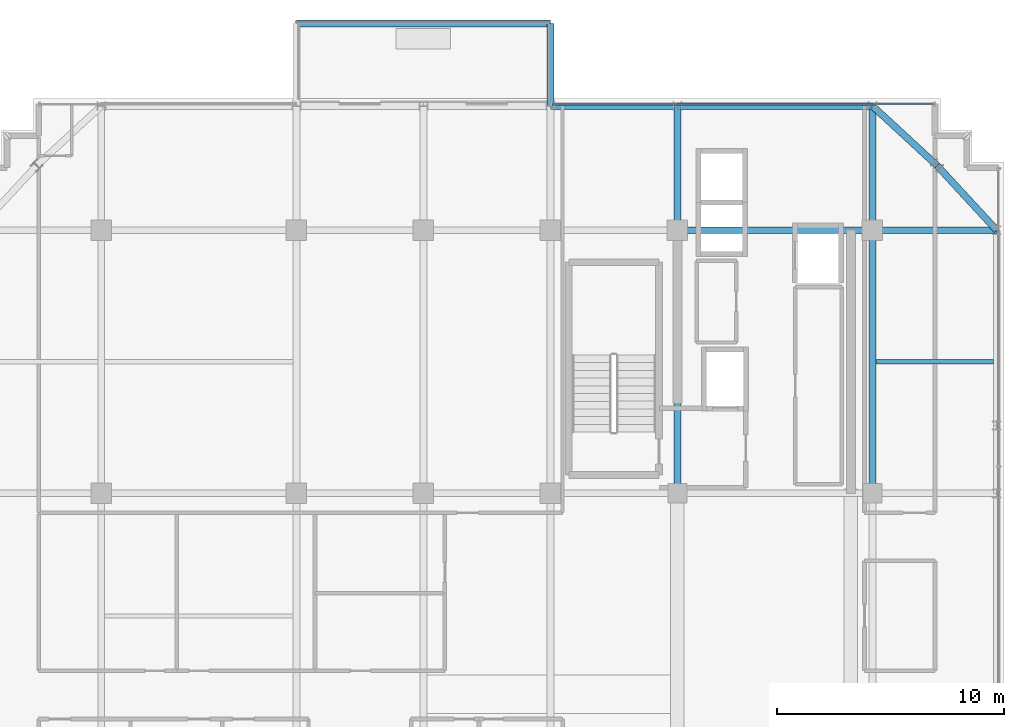
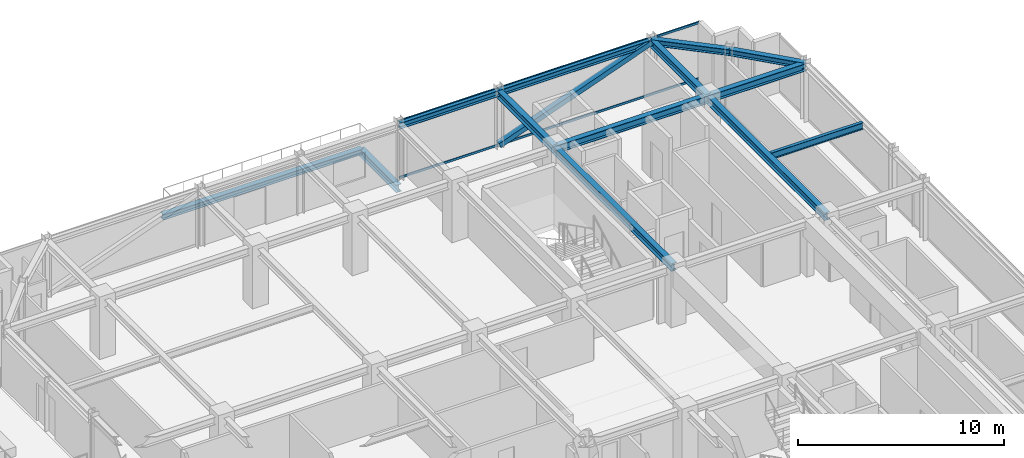
# One storey, part 22 of 36: 13 beams, 3 members, 1 element without a shape of its own.
"""IFC4 building model written with IfcOpenShell, lengths in metres."""

from ifc_helpers import new_model, si_unit, direction, frame, origin, origin_2d, place, context, subcontext, project, spatial, hollow_rectangle, i_section, extrude, source, transform, mapped, material, material_profile, profile_set, type_object, element, aggregate, save


model = new_model("IFC4")

# Units and contexts
model_context = context("Model", 3, precision=1e-05, world=origin(), true_north=direction((0.0, 1.0)))
body_context = subcontext(model_context, "Body", "Model", "MODEL_VIEW")
ifc_project = project(units=[si_unit("LENGTHUNIT", "METRE"), si_unit("AREAUNIT", "SQUARE_METRE"), si_unit("VOLUMEUNIT", "CUBIC_METRE"), si_unit("PLANEANGLEUNIT", "RADIAN"), si_unit("MASSUNIT", "GRAM", prefix="KILO")], contexts=[model_context])

# Site, building, storey
site_placement = place(None, origin())
site = spatial("IfcSite", under=ifc_project, at=site_placement, CompositionType="ELEMENT")
building_placement = place(site_placement, origin())
building = spatial("IfcBuilding", under=site, at=building_placement, Name="Nahalor Promenade Grand Hotel", CompositionType="ELEMENT")
storey_placement = place(building_placement, frame((0.0, 0.0, 273.800048828125)))
storey = spatial("IfcBuildingStorey", under=building, at=storey_placement, Name="L70", CompositionType="ELEMENT", Elevation=273.800048828125)

# Beams
ifc_material_1 = material(Name="Steel S355JR", Category="steel")
ifc_material_profile_1 = material_profile(ifc_material_1, i_section(OverallWidth=0.3, OverallDepth=0.32, WebThickness=0.0115, FlangeThickness=0.0205, at=origin_2d()), Name="HEB 320")
ifc_profile_set_1 = profile_set([ifc_material_profile_1], Name="Steel S355JR")
beam_type_1 = type_object("IfcBeamType", Name="Beam-BalcEdge-HEB320", PredefinedType="SPANDREL", material=ifc_profile_set_1)
shared_shape_1 = source(origin(), body_context, "Body", "SweptSolid", [
    extrude(i_section(OverallWidth=0.3, OverallDepth=0.32, WebThickness=0.0115, FlangeThickness=0.0205, at=origin_2d()), origin(), (0.0, 0.0, 1.0), 11.199951171875),
])
beam_1_placement = place(storey_placement, frame((-8.39990234375, 26.1201171875, -0.43994140625), z_axis=(1.0, 0.0, 0.0), x_axis=(0.0, 1.0, 0.0)))
element("IfcBeam", 1, at=beam_1_placement, inside=storey, type_object=beam_type_1, Name="BM-L70-BC-01-F", PredefinedType="SPANDREL", context=body_context, shape_type="MappedRepresentation", body=[
    mapped(shared_shape_1, transform((0.0, 0.0, 0.0), scale=1.0)),
])
ifc_material_profile_2 = material_profile(ifc_material_1, i_section(OverallWidth=0.3, OverallDepth=0.45, WebThickness=0.014, FlangeThickness=0.026, at=origin_2d()), Name="HEB 450")
ifc_profile_set_2 = profile_set([ifc_material_profile_2], Name="Steel S355JR")
beam_type_2 = type_object("IfcBeamType", Name="Beam-Outrigger-HEB450", PredefinedType="BEAM", material=ifc_profile_set_2)
shared_shape_2 = source(origin(), body_context, "Body", "SweptSolid", [
    extrude(i_section(OverallWidth=0.3, OverallDepth=0.45, WebThickness=0.014, FlangeThickness=0.026, at=origin_2d()), origin(), (0.0, 0.0, 1.0), 3.64013671875),
])
beam_2_placement = place(storey_placement, frame((2.800048828125, 22.47998046875, -0.505126953125), z_axis=(0.0, 1.0, 0.0), x_axis=(-1.0, 0.0, 0.0)))
element("IfcBeam", 2, at=beam_2_placement, inside=storey, type_object=beam_type_2, Name="BM-L70-BC-01-2", PredefinedType="BEAM", context=body_context, shape_type="MappedRepresentation", body=[
    mapped(shared_shape_2, transform((0.0, 0.0, 0.0), scale=1.0)),
])
ifc_material_profile_3 = material_profile(ifc_material_1, i_section(OverallWidth=0.3, OverallDepth=0.45, WebThickness=0.014, FlangeThickness=0.026, at=origin_2d()), Name="HEB 450")
ifc_profile_set_3 = profile_set([ifc_material_profile_3], Name="Steel S355JR")
beam_type_3 = type_object("IfcBeamType", Name="Beam-Girder-HEB450", PredefinedType="BEAM", material=ifc_profile_set_3)
shared_shape_3 = source(origin(), body_context, "Body", "SweptSolid", [
    extrude(i_section(OverallWidth=0.3, OverallDepth=0.45, WebThickness=0.014, FlangeThickness=0.026, at=origin_2d()), origin(), (0.0, 0.0, 1.0), 8.60009765625),
])
beam_3_placement = place(storey_placement, frame((8.39990234375, 17.0, 3.224853515625), z_axis=(1.0, 0.0, 0.0), x_axis=(0.0, 1.0, 0.0)))
element("IfcBeam", 3, at=beam_3_placement, inside=storey, type_object=beam_type_3, Name="BM-L70-GX-3-5", PredefinedType="BEAM", context=body_context, shape_type="MappedRepresentation", body=[
    mapped(shared_shape_3, transform((0.0, 0.0, 0.0), scale=1.0)),
])
shared_shape_4 = source(origin(), body_context, "Body", "SweptSolid", [
    extrude(i_section(OverallWidth=0.3, OverallDepth=0.45, WebThickness=0.014, FlangeThickness=0.026, at=origin_2d()), origin(), (0.0, 0.0, 1.0), 11.60009765625),
])
for number, where, z_axis, x_axis, name in (
    (4, (8.39990234375, 5.39990234375, 3.224853515625), (0.0, 1.0, 0.0), (-1.0, 0.0, 0.0), "BM-L70-GY-4-3"),
    (5, (17.0, 5.39990234375, 3.224853515625), (0.0, 1.0, 0.0), (-1.0, 0.0, 0.0), "BM-L70-GY-5-3"),
):
    element("IfcBeam", number, at=place(storey_placement, frame(where, z_axis=z_axis, x_axis=x_axis)), inside=storey, type_object=beam_type_3, Name=name, PredefinedType="BEAM", context=body_context, shape_type="MappedRepresentation", body=[
        mapped(shared_shape_4, transform((0.0, 0.0, 0.0), scale=1.0)),
    ])
shared_shape_5 = source(origin(), body_context, "Body", "SweptSolid", [
    extrude(i_section(OverallWidth=0.3, OverallDepth=0.45, WebThickness=0.014, FlangeThickness=0.026, at=origin_2d()), origin(), (0.0, 0.0, 1.0), 5.47998046875),
])
for number, where, z_axis, x_axis, name in (
    (6, (17.0, 17.0, 3.224853515625), (1.0, 0.0, 0.0), (0.0, 1.0, 0.0), "BM-L70-GX-3-6"),
    (7, (8.39990234375, 17.0, 3.224853515625), (0.0, 1.0, 0.0), (-1.0, 0.0, 0.0), "BM-L70-GY-4-4"),
    (8, (17.0, 17.0, 3.224853515625), (0.0, 1.0, 0.0), (-1.0, 0.0, 0.0), "BM-L70-GY-5-4"),
):
    element("IfcBeam", number, at=place(storey_placement, frame(where, z_axis=z_axis, x_axis=x_axis)), inside=storey, type_object=beam_type_3, Name=name, PredefinedType="BEAM", context=body_context, shape_type="MappedRepresentation", body=[
        mapped(shared_shape_5, transform((0.0, 0.0, 0.0), scale=1.0)),
    ])
ifc_material_profile_4 = material_profile(ifc_material_1, i_section(OverallWidth=0.18, OverallDepth=0.4, WebThickness=0.0086, FlangeThickness=0.0135, at=origin_2d()), Name="IPE 400")
ifc_profile_set_4 = profile_set([ifc_material_profile_4], Name="Steel S355JR")
beam_type_4 = type_object("IfcBeamType", Name="Beam-Joist-IPE400", PredefinedType="JOIST", material=ifc_profile_set_4)
shared_shape_6 = source(origin(), body_context, "Body", "SweptSolid", [
    extrude(i_section(OverallWidth=0.18, OverallDepth=0.4, WebThickness=0.0086, FlangeThickness=0.0135, at=origin_2d()), origin(), (0.0, 0.0, 1.0), 5.18017578125),
])
beam_4_placement = place(storey_placement, frame((17.14990234375, 11.199951171875, 3.25), z_axis=(1.0, 0.0, 0.0), x_axis=(0.0, 1.0, 0.0)))
element("IfcBeam", 9, at=beam_4_placement, inside=storey, type_object=beam_type_4, Name="BM-L70-JSE-1-2", PredefinedType="JOIST", context=body_context, shape_type="MappedRepresentation", body=[
    mapped(shared_shape_6, transform((0.0, 0.0, 0.0), scale=1.0)),
])
ifc_material_profile_5 = material_profile(ifc_material_1, i_section(OverallWidth=0.3, OverallDepth=0.36, WebThickness=0.0125, FlangeThickness=0.0225, at=origin_2d()), Name="HEB 360")
ifc_profile_set_5 = profile_set([ifc_material_profile_5], Name="Steel S355JR")
beam_type_5 = type_object("IfcBeamType", Name="Beam-Spandrel-HEB360", PredefinedType="SPANDREL", material=ifc_profile_set_5)
shared_shape_7 = source(origin(), body_context, "Body", "SweptSolid", [
    extrude(i_section(OverallWidth=0.3, OverallDepth=0.36, WebThickness=0.0125, FlangeThickness=0.0225, at=origin_2d()), origin(), (0.0, 0.0, 1.0), 8.60009765625),
])
beam_5_placement = place(storey_placement, frame((8.39990234375, 22.47998046875, 3.27001953125), z_axis=(1.0, 0.0, 0.0), x_axis=(0.0, 1.0, 0.0)))
element("IfcBeam", 10, at=beam_5_placement, inside=storey, type_object=beam_type_5, Name="BM-L70-SP-N-4", PredefinedType="SPANDREL", context=body_context, shape_type="MappedRepresentation", body=[
    mapped(shared_shape_7, transform((0.0, 0.0, 0.0), scale=1.0)),
])
shared_shape_8 = source(origin(), body_context, "Body", "SweptSolid", [
    extrude(i_section(OverallWidth=0.3, OverallDepth=0.36, WebThickness=0.0125, FlangeThickness=0.0225, at=origin_2d()), origin(), (0.0, 0.0, 1.0), 5.599853515625),
])
beam_6_placement = place(storey_placement, frame((2.800048828125, 22.47998046875, 3.27001953125), z_axis=(1.0, 0.0, 0.0), x_axis=(0.0, 1.0, 0.0)))
element("IfcBeam", 11, at=beam_6_placement, inside=storey, type_object=beam_type_5, Name="BM-L70-SP-N-3", PredefinedType="SPANDREL", context=body_context, shape_type="MappedRepresentation", body=[
    mapped(shared_shape_8, transform((0.0, 0.0, 0.0), scale=1.0)),
])
shared_shape_9 = source(origin(), body_context, "Body", "SweptSolid", [
    extrude(i_section(OverallWidth=0.3, OverallDepth=0.36, WebThickness=0.0125, FlangeThickness=0.0225, at=origin_2d()), origin(), (0.0, 0.0, 1.0), 3.878173828125),
])
for number, where, z_axis, x_axis, name in (
    (12, (17.0, 22.47998046875, 3.27001953125), (0.73492893846, -0.678144125843, 0.0), (0.678144125843, 0.73492893846, 0.0), "BM-L70-SPC-NE-1"),
    (13, (19.85009765625, 19.85009765625, 3.27001953125), (0.678144125843, -0.73492893846, 0.0), (0.73492893846, 0.678144125843, 0.0), "BM-L70-SPC-NE-2"),
):
    element("IfcBeam", number, at=place(storey_placement, frame(where, z_axis=z_axis, x_axis=x_axis)), inside=storey, type_object=beam_type_5, Name=name, PredefinedType="SPANDREL", context=body_context, shape_type="MappedRepresentation", body=[
        mapped(shared_shape_9, transform((0.0, 0.0, 0.0), scale=1.0)),
    ])

# Member
ifc_material_profile_6 = material_profile(ifc_material_1, hollow_rectangle(XDim=0.3, YDim=0.3, WallThickness=0.016, at=origin_2d()), Name="SHS 300x300x16")
ifc_profile_set_6 = profile_set([ifc_material_profile_6], Name="Steel S355JR")
member_type_1 = type_object("IfcMemberType", Name="Mem-CrownBrace-SHS300", PredefinedType="BRACE", material=ifc_profile_set_6)
shared_shape_10 = source(origin(), body_context, "Body", "SweptSolid", [
    extrude(hollow_rectangle(XDim=0.3, YDim=0.3, WallThickness=0.016, at=origin_2d()), origin(), (0.0, 0.0, 1.0), 9.158935546875),
])
member_1_placement = place(storey_placement, frame((8.39990234375, 22.47998046875, 0.14990234375), z_axis=(0.938989990654, 0.0, 0.343944468558), x_axis=(0.0, 1.0, 0.0)))
element("IfcMember", 14, at=member_1_placement, inside=storey, type_object=member_type_1, Name="EXO-L70-N-1", PredefinedType="BRACE", context=body_context, shape_type="MappedRepresentation", body=[
    mapped(shared_shape_10, transform((0.0, 0.0, 0.0), scale=1.0)),
])

# Curtain wall, members
ifc_material_2 = material(Name="Anodised Bronze Aluminium EN AW-6063 T6", Category="aluminium")
curtain_wall_type = type_object("IfcCurtainWallType", Name="CW2 Typical Hotel Flush Bronze Unitised Curtain Wall", PredefinedType="USERDEFINED", material=ifc_material_2)
curtain_wall_placement = place(storey_placement, origin())
curtain_wall = element("IfcCurtainWall", 15, at=curtain_wall_placement, inside=storey, type_object=curtain_wall_type, Name="L70 Curtain Wall CW-L70-N-3", ObjectType="UNITISED_CURTAIN_WALL", PredefinedType="USERDEFINED")
ifc_material_profile_7 = material_profile(ifc_material_2, hollow_rectangle(XDim=0.065, YDim=0.13, WallThickness=0.004, at=origin_2d()), Name="CWT 65x130x4")
ifc_profile_set_7 = profile_set([ifc_material_profile_7], Name="Anodised Bronze Aluminium EN AW-6063 T6")
member_type_2 = type_object("IfcMemberType", Name="CWT2 Typical Bronze Transom 65x130", PredefinedType="USERDEFINED", material=ifc_profile_set_7)
shared_shape_11 = source(origin(), body_context, "Body", "SweptSolid", [
    extrude(hollow_rectangle(XDim=0.065, YDim=0.13, WallThickness=0.004, at=origin_2d()), origin(), (0.0, 0.0, 1.0), 16.830078125),
])
member_2_placement = place(storey_placement, frame((2.864990234375, 22.56005859375, 0.06494140625), z_axis=(1.0, 0.0, 0.0), x_axis=(0.0, 1.0, 0.0)))
member_2 = element("IfcMember", 16, at=member_2_placement, type_object=member_type_2, Name="CW-L70-N-3 Transom 0-0", ObjectType="TRANSOM", PredefinedType="USERDEFINED", context=body_context, shape_type="MappedRepresentation", body=[
    mapped(shared_shape_11, transform((0.0, 0.0, 0.0), scale=1.0)),
])
member_3_placement = place(storey_placement, frame((2.864990234375, 22.56005859375, 3.385009765625), z_axis=(1.0, 0.0, 0.0), x_axis=(0.0, 1.0, 0.0)))
member_3 = element("IfcMember", 17, at=member_3_placement, type_object=member_type_2, Name="CW-L70-N-3 Transom 0-1", ObjectType="TRANSOM", PredefinedType="USERDEFINED", context=body_context, shape_type="MappedRepresentation", body=[
    mapped(shared_shape_11, transform((0.0, 0.0, 0.0), scale=1.0)),
])
aggregate(curtain_wall, [member_2, member_3])

save(model, "model.ifc")
